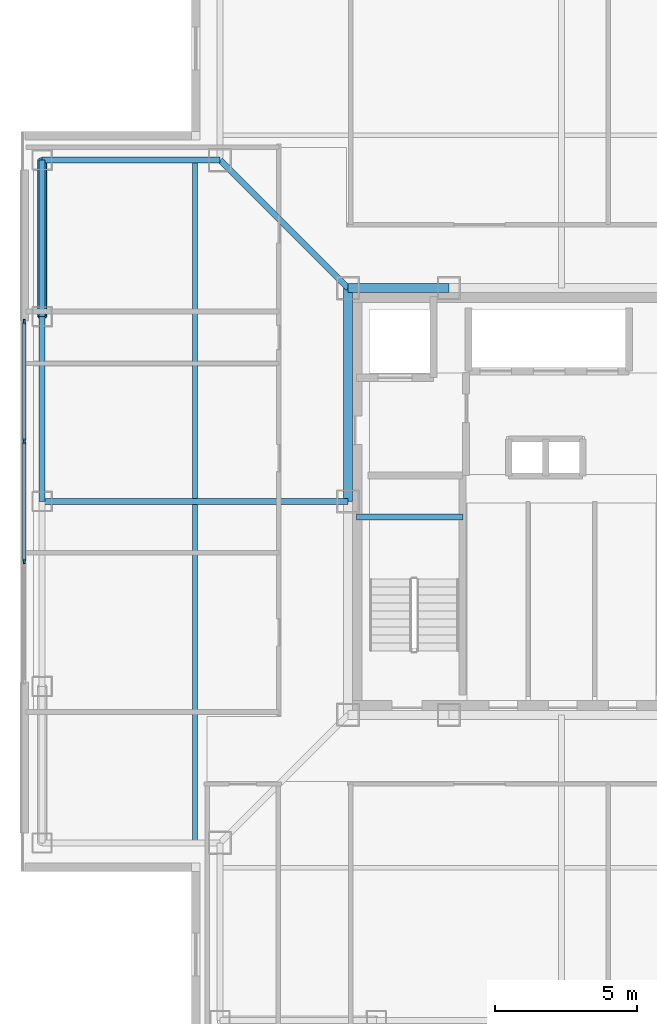
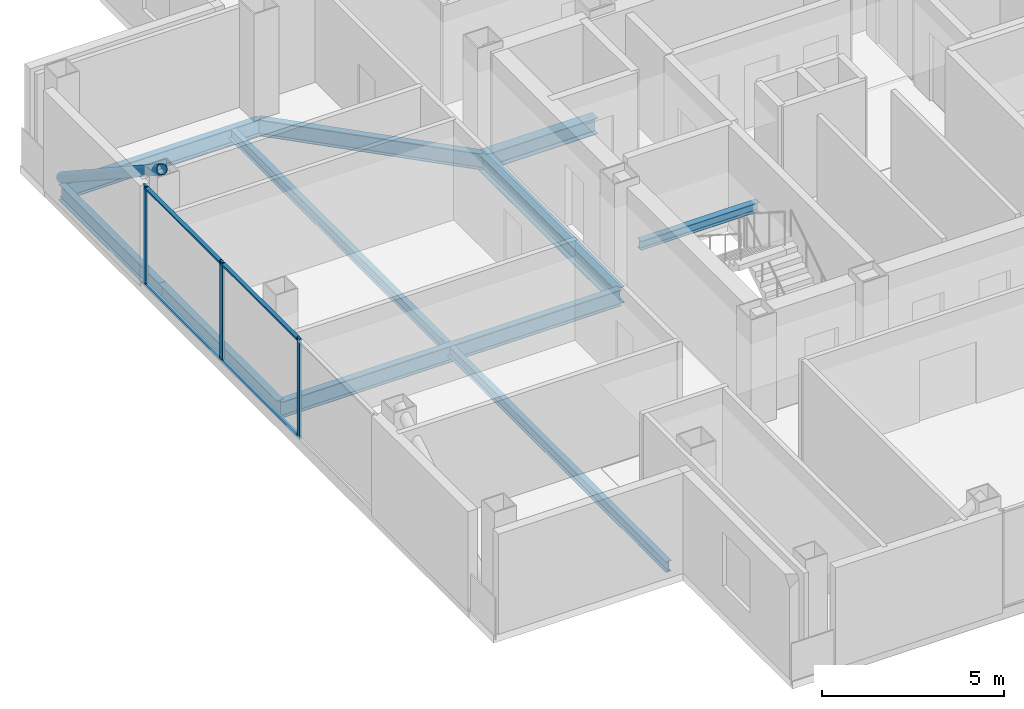
# One storey, part 4 of 16: 9 beams, 8 members, 1 element without a shape of its own.
"""IFC4 building model written with IfcOpenShell, lengths in metres."""

from ifc_helpers import new_model, si_unit, direction, frame, origin, origin_2d, place, context, subcontext, project, spatial, rectangle, hollow_circle, i_section, extrude, material, layer, layer_set, material_profile, profile_set, type_object, element, aggregate, save


model = new_model("IFC4")

# Units and contexts
model_context = context("Model", 3, precision=1e-05, world=origin(), true_north=direction((0.0, 1.0)))
body_context = subcontext(model_context, "Body", "Model", "MODEL_VIEW")
ifc_project = project(units=[si_unit("LENGTHUNIT", "METRE"), si_unit("AREAUNIT", "SQUARE_METRE"), si_unit("VOLUMEUNIT", "CUBIC_METRE"), si_unit("PLANEANGLEUNIT", "RADIAN"), si_unit("MASSUNIT", "GRAM", prefix="KILO")], contexts=[model_context])

# Site, building, storey
site_placement = place(None, origin())
site = spatial("IfcSite", under=ifc_project, at=site_placement, CompositionType="ELEMENT")
building_placement = place(site_placement, origin())
building = spatial("IfcBuilding", under=site, at=building_placement, Name="Trevonay Congress Spire", CompositionType="ELEMENT")
storey_placement = place(building_placement, frame((0.0, 0.0, 279.199951171875)))
storey = spatial("IfcBuildingStorey", under=building, at=storey_placement, Name="L73", CompositionType="ELEMENT", Elevation=279.199951171875)

# Beams
ifc_material_1 = material(Name="Steel ASTM A572 Grade 50", Category="steel")
ifc_material_profile_1 = material_profile(ifc_material_1, i_section(OverallWidth=0.2119140625, OverallDepth=0.5439453125, WebThickness=0.01318359375, FlangeThickness=0.021240234375, FilletRadius=0.014892578125, at=origin_2d()), Name="W530x123")
ifc_profile_set_1 = profile_set([ifc_material_profile_1], Name="Steel ASTM A572 Grade 50")
beam_type_1 = type_object("IfcBeamType", Name="BM-GIRD-W530X123", PredefinedType="BEAM", material=ifc_profile_set_1)
beam_1_placement = place(storey_placement, frame((-7.5, 7.5, -0.511962890625), z_axis=(-0.707106781187, 0.707106781187, 0.0), x_axis=(-0.707106781187, -0.707106781187, 0.0)))
element("IfcBeam", 1, at=beam_1_placement, inside=storey, type_object=beam_type_1, Name="L73 structural beam BM-L73-CDNW", PredefinedType="BEAM", context=body_context, shape_type="SweptSolid", body=[
    extrude(i_section(OverallWidth=0.2119140625, OverallDepth=0.5439453125, WebThickness=0.01318359375, FlangeThickness=0.021240234375, FilletRadius=0.014892578125, at=origin_2d()), origin(), (0.0, 0.0, 1.0), 6.364013671875),
])
beam_2_placement = place(storey_placement, frame((-7.5, 0.0, -0.511962890625), z_axis=(-1.0, 0.0, 0.0), x_axis=(0.0, -1.0, 0.0)))
element("IfcBeam", 2, at=beam_2_placement, inside=storey, type_object=beam_type_1, Name="L73 structural beam BM-L73-GC-W", PredefinedType="BEAM", context=body_context, shape_type="SweptSolid", body=[
    extrude(i_section(OverallWidth=0.2119140625, OverallDepth=0.5439453125, WebThickness=0.01318359375, FlangeThickness=0.021240234375, FilletRadius=0.014892578125, at=origin_2d()), origin(), (0.0, 0.0, 1.0), 10.75),
])
ifc_material_profile_2 = material_profile(ifc_material_1, i_section(OverallWidth=0.31201171875, OverallDepth=0.54296875, WebThickness=0.0126953125, FlangeThickness=0.020263671875, FilletRadius=0.014892578125, at=origin_2d()), Name="W530x150")
ifc_profile_set_2 = profile_set([ifc_material_profile_2], Name="Steel ASTM A572 Grade 50")
beam_type_2 = type_object("IfcBeamType", Name="BM-GIRD-W530X150", PredefinedType="BEAM", material=ifc_profile_set_2)
beam_3_placement = place(storey_placement, frame((-7.5, 7.5, -0.511474609375), z_axis=(1.0, 0.0, 0.0), x_axis=(0.0, 1.0, 0.0)))
element("IfcBeam", 3, at=beam_3_placement, inside=storey, type_object=beam_type_2, Name="L73 structural beam BM-L73-CR-N1", PredefinedType="BEAM", context=body_context, shape_type="SweptSolid", body=[
    extrude(i_section(OverallWidth=0.31201171875, OverallDepth=0.54296875, WebThickness=0.0126953125, FlangeThickness=0.020263671875, FilletRadius=0.014892578125, at=origin_2d()), origin(), (0.0, 0.0, 1.0), 3.550048828125),
])
beam_4_placement = place(storey_placement, frame((-7.5, 0.0, -0.511474609375), z_axis=(0.0, 1.0, 0.0), x_axis=(-1.0, 0.0, 0.0)))
element("IfcBeam", 4, at=beam_4_placement, inside=storey, type_object=beam_type_2, Name="L73 structural beam BM-L73-CR-W2", PredefinedType="BEAM", context=body_context, shape_type="SweptSolid", body=[
    extrude(i_section(OverallWidth=0.31201171875, OverallDepth=0.54296875, WebThickness=0.0126953125, FlangeThickness=0.020263671875, FilletRadius=0.014892578125, at=origin_2d()), origin(), (0.0, 0.0, 1.0), 7.5),
])
ifc_material_profile_3 = material_profile(ifc_material_1, i_section(OverallWidth=0.208984375, OverallDepth=0.532958984375, WebThickness=0.01025390625, FlangeThickness=0.015625, FilletRadius=0.014892578125, at=origin_2d()), Name="W530x92")
ifc_profile_set_3 = profile_set([ifc_material_profile_3], Name="Steel ASTM A572 Grade 50")
beam_type_3 = type_object("IfcBeamType", Name="BM-RING-W530X92", PredefinedType="BEAM", material=ifc_profile_set_3)
beam_5_placement = place(storey_placement, frame((-18.25, 0.0, -0.50634765625), z_axis=(0.0, 1.0, 0.0), x_axis=(-1.0, 0.0, 0.0)))
element("IfcBeam", 5, at=beam_5_placement, inside=storey, type_object=beam_type_3, Name="L73 structural beam BM-L73-PW3", PredefinedType="BEAM", context=body_context, shape_type="SweptSolid", body=[
    extrude(i_section(OverallWidth=0.208984375, OverallDepth=0.532958984375, WebThickness=0.01025390625, FlangeThickness=0.015625, FilletRadius=0.014892578125, at=origin_2d()), origin(), (0.0, 0.0, 1.0), 6.5),
])
beam_6_placement = place(storey_placement, frame((-18.25, 6.5, -0.50634765625), z_axis=(0.0, 1.0, 0.0), x_axis=(-1.0, 0.0, 0.0)))
element("IfcBeam", 6, at=beam_6_placement, inside=storey, type_object=beam_type_3, Name="L73 structural beam BM-L73-PW4", PredefinedType="BEAM", context=body_context, shape_type="SweptSolid", body=[
    extrude(i_section(OverallWidth=0.208984375, OverallDepth=0.532958984375, WebThickness=0.01025390625, FlangeThickness=0.015625, FilletRadius=0.014892578125, at=origin_2d()), origin(), (0.0, 0.0, 1.0), 5.5),
])
beam_7_placement = place(storey_placement, frame((-18.25, 12.0, -0.50634765625), z_axis=(1.0, 0.0, 0.0), x_axis=(0.0, 1.0, 0.0)))
element("IfcBeam", 7, at=beam_7_placement, inside=storey, type_object=beam_type_3, Name="L73 structural beam BM-L73-N2NW", PredefinedType="BEAM", context=body_context, shape_type="SweptSolid", body=[
    extrude(i_section(OverallWidth=0.208984375, OverallDepth=0.532958984375, WebThickness=0.01025390625, FlangeThickness=0.015625, FilletRadius=0.014892578125, at=origin_2d()), origin(), (0.0, 0.0, 1.0), 6.25),
])

# Curtain wall, members
ifc_material_2 = material(Name="Pale Anodised Aluminium EN AW-6063-T6", Category="aluminium")
ifc_layer = layer(ifc_material_2, 0.1650390625, Name="Pale Anodised Aluminium EN AW-6063-T6")
ifc_layer_set = layer_set([ifc_layer], Name="Pale Anodised Aluminium EN AW-6063-T6")
curtain_wall_type = type_object("IfcCurtainWallType", Name="CW-SYS05-DIPLOM-PALE-METAL", PredefinedType="NOTDEFINED", material=ifc_layer_set)
curtain_wall_placement = place(storey_placement, origin())
curtain_wall = element("IfcCurtainWall", 8, at=curtain_wall_placement, inside=storey, type_object=curtain_wall_type, Name="L73 W unitised curtain wall", PredefinedType="NOTDEFINED")
ifc_material_profile_4 = material_profile(ifc_material_2, rectangle(XDim=0.06005859375, YDim=0.159912109375, at=origin_2d()), Name="CW-MULLION-160-ALUMINIUM")
ifc_profile_set_4 = profile_set([ifc_material_profile_4], Name="Pale Anodised Aluminium EN AW-6063-T6")
member_type_1 = type_object("IfcMemberType", Name="CW-MULLION-160-ALUMINIUM", PredefinedType="MULLION", material=ifc_profile_set_4)
member_1_placement = place(storey_placement, frame((-18.8798828125, -2.11669921875, 0.0), z_axis=(0.0, 0.0, 1.0), x_axis=(-1.0, 0.0, 0.0)))
member_1 = element("IfcMember", 9, at=member_1_placement, type_object=member_type_1, Name="CW05 mullion 2", PredefinedType="MULLION", context=body_context, shape_type="SweptSolid", body=[
    extrude(rectangle(XDim=0.06005859375, YDim=0.159912109375, at=origin_2d()), origin(), (0.0, 0.0, 1.0), 3.360107421875),
])
member_2_placement = place(storey_placement, frame((-18.8798828125, 2.11669921875, 0.0), z_axis=(0.0, 0.0, 1.0), x_axis=(-1.0, 0.0, 0.0)))
member_2 = element("IfcMember", 10, at=member_2_placement, type_object=member_type_1, Name="CW05 mullion 3", PredefinedType="MULLION", context=body_context, shape_type="SweptSolid", body=[
    extrude(rectangle(XDim=0.06005859375, YDim=0.159912109375, at=origin_2d()), origin(), (0.0, 0.0, 1.0), 3.360107421875),
])
member_3_placement = place(storey_placement, frame((-18.8798828125, 6.320068359375, 0.0), z_axis=(0.0, 0.0, 1.0), x_axis=(-1.0, 0.0, 0.0)))
member_3 = element("IfcMember", 11, at=member_3_placement, type_object=member_type_1, Name="CW05 mullion 4", PredefinedType="MULLION", context=body_context, shape_type="SweptSolid", body=[
    extrude(rectangle(XDim=0.06005859375, YDim=0.159912109375, at=origin_2d()), origin(), (0.0, 0.0, 1.0), 3.360107421875),
])
ifc_material_profile_5 = material_profile(ifc_material_2, rectangle(XDim=0.1201171875, YDim=0.06005859375, at=origin_2d()), Name="CW-TRANSOM-120-ALUMINIUM")
ifc_profile_set_5 = profile_set([ifc_material_profile_5], Name="Pale Anodised Aluminium EN AW-6063-T6")
member_type_2 = type_object("IfcMemberType", Name="CW-TRANSOM-120-ALUMINIUM", PredefinedType="USERDEFINED", material=ifc_profile_set_5)
member_4_placement = place(storey_placement, frame((-18.8798828125, -2.086669921875, 0.06005859375), z_axis=(0.0, 1.0, 0.0), x_axis=(-1.0, 0.0, 0.0)))
member_4 = element("IfcMember", 12, at=member_4_placement, type_object=member_type_2, Name="CW05 transom 2.1", ObjectType="TRANSOM", PredefinedType="USERDEFINED", context=body_context, shape_type="SweptSolid", body=[
    extrude(rectangle(XDim=0.1201171875, YDim=0.06005859375, at=origin_2d()), origin(), (0.0, 0.0, 1.0), 4.17333984375),
])
member_5_placement = place(storey_placement, frame((-18.8798828125, -2.086669921875, 3.300048828125), z_axis=(0.0, 1.0, 0.0), x_axis=(-1.0, 0.0, 0.0)))
member_5 = element("IfcMember", 13, at=member_5_placement, type_object=member_type_2, Name="CW05 transom 2.2", ObjectType="TRANSOM", PredefinedType="USERDEFINED", context=body_context, shape_type="SweptSolid", body=[
    extrude(rectangle(XDim=0.1201171875, YDim=0.06005859375, at=origin_2d()), origin(), (0.0, 0.0, 1.0), 4.17333984375),
])
member_6_placement = place(storey_placement, frame((-18.8798828125, 2.146728515625, 0.06005859375), z_axis=(0.0, 1.0, 0.0), x_axis=(-1.0, 0.0, 0.0)))
member_6 = element("IfcMember", 14, at=member_6_placement, type_object=member_type_2, Name="CW05 transom 3.1", ObjectType="TRANSOM", PredefinedType="USERDEFINED", context=body_context, shape_type="SweptSolid", body=[
    extrude(rectangle(XDim=0.1201171875, YDim=0.06005859375, at=origin_2d()), origin(), (0.0, 0.0, 1.0), 4.143310546875),
])
member_7_placement = place(storey_placement, frame((-18.8798828125, 2.146728515625, 3.300048828125), z_axis=(0.0, 1.0, 0.0), x_axis=(-1.0, 0.0, 0.0)))
member_7 = element("IfcMember", 15, at=member_7_placement, type_object=member_type_2, Name="CW05 transom 3.2", ObjectType="TRANSOM", PredefinedType="USERDEFINED", context=body_context, shape_type="SweptSolid", body=[
    extrude(rectangle(XDim=0.1201171875, YDim=0.06005859375, at=origin_2d()), origin(), (0.0, 0.0, 1.0), 4.143310546875),
])
aggregate(curtain_wall, [member_1, member_2, member_3, member_4, member_5, member_6, member_7])

# Beams
ifc_material_profile_6 = material_profile(ifc_material_1, i_section(OverallWidth=0.172119140625, OverallDepth=0.35791015625, WebThickness=0.0078125, FlangeThickness=0.01318359375, FilletRadius=0.011962890625, at=origin_2d()), Name="W360x57.8")
ifc_profile_set_6 = profile_set([ifc_material_profile_6], Name="Steel ASTM A572 Grade 50")
beam_type_4 = type_object("IfcBeamType", Name="JS-COMP-W360X57", PredefinedType="JOIST", material=ifc_profile_set_6)
beam_8_placement = place(storey_placement, frame((-12.875, -12.0, -0.4189453125), z_axis=(0.0, 1.0, 0.0), x_axis=(-1.0, 0.0, 0.0)))
element("IfcBeam", 16, at=beam_8_placement, inside=storey, type_object=beam_type_4, Name="L73 structural beam JS-L73-RING-W", PredefinedType="JOIST", context=body_context, shape_type="SweptSolid", body=[
    extrude(i_section(OverallWidth=0.172119140625, OverallDepth=0.35791015625, WebThickness=0.0078125, FlangeThickness=0.01318359375, FilletRadius=0.011962890625, at=origin_2d()), origin(), (0.0, 0.0, 1.0), 24.0),
])
ifc_material_profile_7 = material_profile(ifc_material_1, i_section(OverallWidth=0.2041015625, OverallDepth=0.305908203125, WebThickness=0.008544921875, FlangeThickness=0.0146484375, FilletRadius=0.010986328125, at=origin_2d()), Name="W310x67")
ifc_profile_set_7 = profile_set([ifc_material_profile_7], Name="Steel ASTM A572 Grade 50")
beam_type_5 = type_object("IfcBeamType", Name="LN-CORE-W310X67", PredefinedType="LINTEL", material=ifc_profile_set_7)
beam_9_placement = place(storey_placement, frame((-7.199951171875, -0.550048828125, 1.447021484375), z_axis=(1.0, 0.0, 0.0), x_axis=(0.0, 1.0, 0.0)))
element("IfcBeam", 17, at=beam_9_placement, inside=storey, type_object=beam_type_5, Name="L73 structural beam BM-L73-HL-ST1", PredefinedType="LINTEL", context=body_context, shape_type="SweptSolid", body=[
    extrude(i_section(OverallWidth=0.2041015625, OverallDepth=0.305908203125, WebThickness=0.008544921875, FlangeThickness=0.0146484375, FilletRadius=0.010986328125, at=origin_2d()), origin(), (0.0, 0.0, 1.0), 3.75),
])

# Member
ifc_material_3 = material(Name="Steel ASTM A500 Grade C", Category="steel")
ifc_material_profile_8 = material_profile(ifc_material_3, hollow_circle(Radius=0.161865234375, WallThickness=0.01611328125, at=origin_2d()), Name="CHS 323.9x16")
ifc_profile_set_8 = profile_set([ifc_material_profile_8], Name="Steel ASTM A500 Grade C")
member_type_3 = type_object("IfcMemberType", Name="MBR-TUBE-CHS324", PredefinedType="BRACE", material=ifc_profile_set_8)
member_8_placement = place(storey_placement, frame((-18.25, 12.0, -0.050048828125), z_axis=(0.0, -0.836694709366, 0.547669574943), x_axis=(1.0, 0.0, 0.0)))
element("IfcMember", 18, at=member_8_placement, inside=storey, type_object=member_type_3, Name="L73 perimeter braced-tube diagonal W3", PredefinedType="BRACE", context=body_context, shape_type="SweptSolid", body=[
    extrude(hollow_circle(Radius=0.161865234375, WallThickness=0.01611328125, at=origin_2d()), origin(), (0.0, 0.0, 1.0), 6.573486328125),
])

save(model, "model.ifc")
